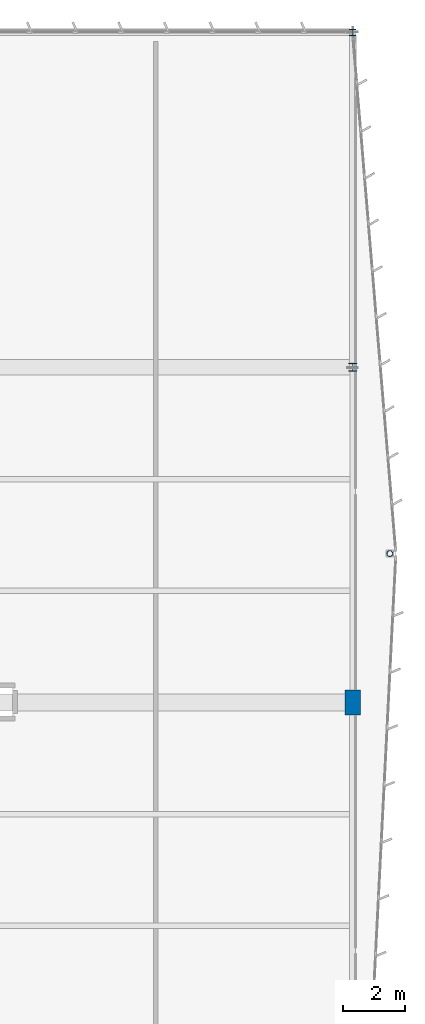
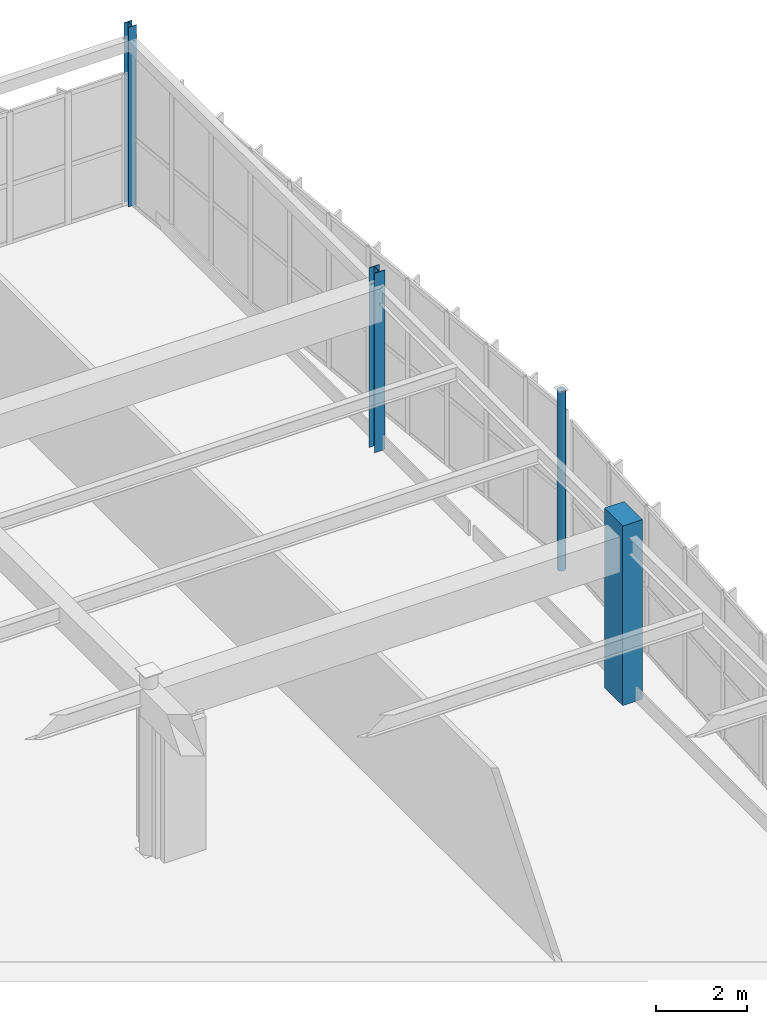
# One storey, part 54 of 186: 4 columns.
"""IFC4 building model written with IfcOpenShell, lengths in metres."""

from ifc_helpers import new_model, si_unit, direction, frame, origin, origin_2d, place, context, subcontext, project, spatial, rectangle, hollow_circle, i_section, extrude, material, material_profile, profile_set, type_object, element, save


model = new_model("IFC4")

# Units and contexts
model_context = context("Model", 3, precision=1e-05, world=origin(), true_north=direction((0.0, 1.0)))
body_context = subcontext(model_context, "Body", "Model", "MODEL_VIEW")
ifc_project = project(units=[si_unit("LENGTHUNIT", "METRE"), si_unit("AREAUNIT", "SQUARE_METRE"), si_unit("VOLUMEUNIT", "CUBIC_METRE"), si_unit("PLANEANGLEUNIT", "RADIAN"), si_unit("MASSUNIT", "GRAM", prefix="KILO")], contexts=[model_context])

# Site, building, storey
site_placement = place(None, origin())
site = spatial("IfcSite", under=ifc_project, at=site_placement, CompositionType="ELEMENT")
building_placement = place(site_placement, origin())
building = spatial("IfcBuilding", under=site, at=building_placement, Name="Tarnwether General Hospital", CompositionType="ELEMENT")
storey_placement = place(building_placement, frame((0.0, 0.0, 9.60009765625)))
storey = spatial("IfcBuildingStorey", under=building, at=storey_placement, Name="L02", CompositionType="ELEMENT", Elevation=9.60009765625)

# Columns
ifc_material_1 = material(Name="Concrete 50 MPa", Category="concrete")
ifc_material_profile_1 = material_profile(ifc_material_1, rectangle(XDim=0.5, YDim=0.800048828125, at=origin_2d()), Name="RC-PIL-500x800")
ifc_profile_set_1 = profile_set([ifc_material_profile_1], Name="Concrete 50 MPa")
column_type_1 = type_object("IfcColumnType", Name="COL-23", PredefinedType="PILASTER", material=ifc_profile_set_1)
column_1_placement = place(storey_placement, frame((192.0, 104.39990234375, 0.0), z_axis=(0.0, 0.0, 1.0), x_axis=(1.0, 0.0, 0.0)))
element("IfcColumn", 1, at=column_1_placement, inside=storey, type_object=column_type_1, Name="Column COLG-L02-19200_10440", PredefinedType="PILASTER", context=body_context, shape_type="SweptSolid", body=[
    extrude(rectangle(XDim=0.5, YDim=0.800048828125, at=origin_2d()), origin(), (0.0, 0.0, 1.0), 4.7998046875),
])
ifc_material_2 = material(Name="Steel Grade 350 (350 MPa)", Category="steel")
ifc_material_profile_2 = material_profile(ifc_material_2, i_section(OverallWidth=0.25390625, OverallDepth=0.25390625, WebThickness=0.008544921875, FlangeThickness=0.01416015625, at=origin_2d()), Name="250UC72.9")
ifc_profile_set_2 = profile_set([ifc_material_profile_2], Name="Steel Grade 350 (350 MPa)")
column_type_2 = type_object("IfcColumnType", Name="COL-24", PredefinedType="COLUMN", material=ifc_profile_set_2)
column_2_placement = place(storey_placement, frame((192.0, 115.199951171875, 0.0), z_axis=(0.0, 0.0, 1.0), x_axis=(1.0, 0.0, 0.0)))
element("IfcColumn", 2, at=column_2_placement, inside=storey, type_object=column_type_2, Name="Column COLG-L02-19200_11520", PredefinedType="COLUMN", context=body_context, shape_type="SweptSolid", body=[
    extrude(i_section(OverallWidth=0.25390625, OverallDepth=0.25390625, WebThickness=0.008544921875, FlangeThickness=0.01416015625, at=origin_2d()), origin(), (0.0, 0.0, 1.0), 4.7998046875),
])
ifc_material_3 = material(Name="Steel Grade 350 (350 MPa)", Category="steel")
ifc_material_profile_3 = material_profile(ifc_material_3, i_section(OverallWidth=0.205078125, OverallDepth=0.2099609375, WebThickness=0.00927734375, FlangeThickness=0.01416015625, at=origin_2d()), Name="200UC59.5")
ifc_profile_set_3 = profile_set([ifc_material_profile_3], Name="Steel Grade 350 (350 MPa)")
column_type_3 = type_object("IfcColumnType", Name="COL-25", PredefinedType="COLUMN", material=ifc_profile_set_3)
column_3_placement = place(storey_placement, frame((192.0, 126.0, 0.0), z_axis=(0.0, 0.0, 1.0), x_axis=(1.0, 0.0, 0.0)))
element("IfcColumn", 3, at=column_3_placement, inside=storey, type_object=column_type_3, Name="Column COLG-L02-19200_12600", PredefinedType="COLUMN", context=body_context, shape_type="SweptSolid", body=[
    extrude(i_section(OverallWidth=0.205078125, OverallDepth=0.2099609375, WebThickness=0.00927734375, FlangeThickness=0.01416015625, at=origin_2d()), origin(), (0.0, 0.0, 1.0), 4.7998046875),
])
ifc_material_4 = material(Name="Steel Grade C350L0 (350 MPa)", Category="steel")
ifc_material_profile_4 = material_profile(ifc_material_4, hollow_circle(Radius=0.096923828125, WallThickness=0.008056640625, at=origin_2d()), Name="CHS193.7x8.0")
ifc_profile_set_4 = profile_set([ifc_material_profile_4], Name="Steel Grade C350L0 (350 MPa)")
column_type_4 = type_object("IfcColumnType", Name="COL-29", PredefinedType="COLUMN", material=ifc_profile_set_4)
column_4_placement = place(storey_placement, frame((193.199951171875, 109.199951171875, 0.0), z_axis=(0.0, 0.0, 1.0), x_axis=(0.882947592859, 0.469471562786, 0.0)))
element("IfcColumn", 4, at=column_4_placement, inside=storey, type_object=column_type_4, Name="Column COLG-L02-19320_10920", PredefinedType="COLUMN", context=body_context, shape_type="SweptSolid", body=[
    extrude(hollow_circle(Radius=0.096923828125, WallThickness=0.008056640625, at=origin_2d()), origin(), (0.0, 0.0, 1.0), 4.7998046875),
])

save(model, "model.ifc")
